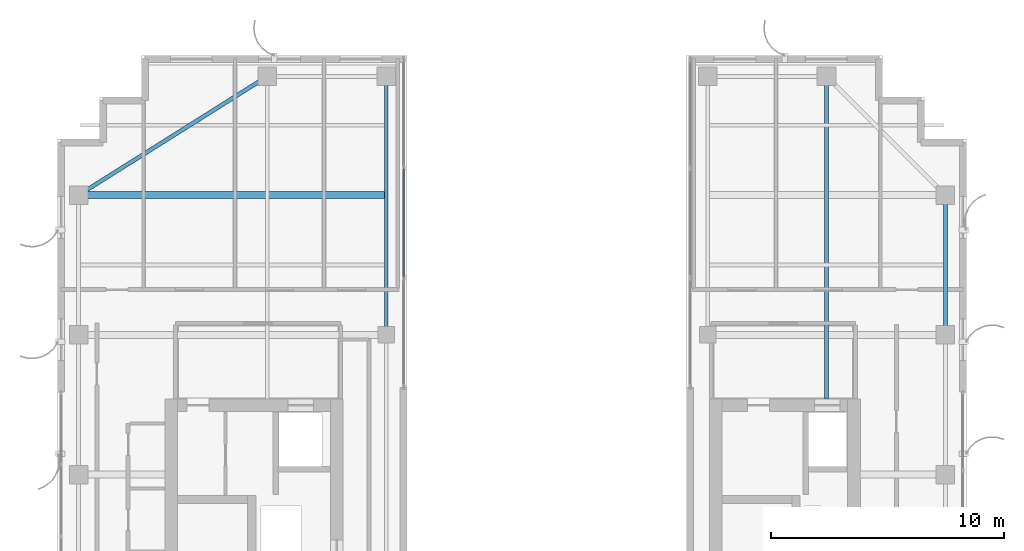
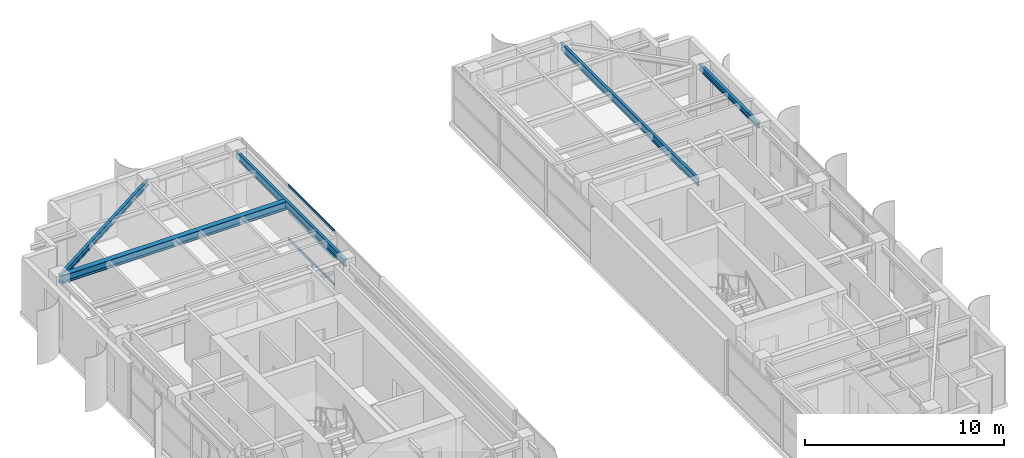
# One storey, part 14 of 24: 5 beams, 3 members, 1 element without a shape of its own.
"""IFC4 building model written with IfcOpenShell, lengths in metres."""

from ifc_helpers import new_model, si_unit, direction, frame, origin, origin_2d, place, context, subcontext, project, spatial, hollow_rectangle, i_section, extrude, source, transform, mapped, material, layer, layer_set, material_profile, profile_set, type_object, element, aggregate, save


model = new_model("IFC4")

# Units and contexts
model_context = context("Model", 3, precision=1e-05, world=origin(), true_north=direction((0.0, 1.0)))
body_context = subcontext(model_context, "Body", "Model", "MODEL_VIEW")
ifc_project = project(units=[si_unit("LENGTHUNIT", "METRE"), si_unit("AREAUNIT", "SQUARE_METRE"), si_unit("VOLUMEUNIT", "CUBIC_METRE"), si_unit("PLANEANGLEUNIT", "RADIAN"), si_unit("MASSUNIT", "GRAM", prefix="KILO")], contexts=[model_context])

# Site, building, storey
site_placement = place(None, origin())
site = spatial("IfcSite", under=ifc_project, at=site_placement, CompositionType="ELEMENT")
building_placement = place(site_placement, origin())
building = spatial("IfcBuilding", under=site, at=building_placement, Name="Khoralis Quay Care Tower", CompositionType="ELEMENT")
storey_placement = place(building_placement, frame((0.0, 0.0, 231.300048828125)))
storey = spatial("IfcBuildingStorey", under=building, at=storey_placement, Name="L60", CompositionType="ELEMENT", Elevation=231.300048828125)

# Beams
ifc_material_1 = material(Name="Steel S355", Category="steel")
ifc_material_profile_1 = material_profile(ifc_material_1, i_section(OverallWidth=0.169921875, OverallDepth=0.360107421875, WebThickness=0.008056640625, FlangeThickness=0.0126953125, FilletRadius=0.01806640625, at=origin_2d()), Name="Steel S355")
ifc_profile_set_1 = profile_set([ifc_material_profile_1], Name="Steel S355")
beam_type_1 = type_object("IfcBeamType", Name="BM-IPE360", PredefinedType="SPANDREL", material=ifc_profile_set_1)
shared_shape_1 = source(origin(), body_context, "Body", "SweptSolid", [
    extrude(i_section(OverallWidth=0.169921875, OverallDepth=0.360107421875, WebThickness=0.008056640625, FlangeThickness=0.0126953125, FilletRadius=0.01806640625, at=origin_2d()), origin(), (0.0, 0.0, 1.0), 6.0),
])
beam_1_placement = place(storey_placement, frame((41.10009765625, 30.0, 3.179931640625), z_axis=(0.0, 1.0, 0.0), x_axis=(-1.0, 0.0, 0.0)))
element("IfcBeam", 1, at=beam_1_placement, inside=storey, type_object=beam_type_1, Name="BM-TSP-L60-12", PredefinedType="SPANDREL", context=body_context, shape_type="MappedRepresentation", body=[
    mapped(shared_shape_1, transform((0.0, 0.0, 0.0), scale=1.0)),
])
shared_shape_2 = source(origin(), body_context, "Body", "SweptSolid", [
    extrude(i_section(OverallWidth=0.169921875, OverallDepth=0.360107421875, WebThickness=0.008056640625, FlangeThickness=0.0126953125, FilletRadius=0.01806640625, at=origin_2d()), origin(), (0.0, 0.0, 1.0), 9.572021484375),
])
beam_2_placement = place(storey_placement, frame((12.0, 41.10009765625, 3.179931640625), z_axis=(-0.846231136359, -0.532815975602, 0.0), x_axis=(0.532815975602, -0.846231136359, 0.0)))
element("IfcBeam", 2, at=beam_2_placement, inside=storey, type_object=beam_type_1, Name="BM-TCR-L60-15", PredefinedType="SPANDREL", context=body_context, shape_type="MappedRepresentation", body=[
    mapped(shared_shape_2, transform((0.0, 0.0, 0.0), scale=1.0)),
])
ifc_material_profile_2 = material_profile(ifc_material_1, i_section(OverallWidth=0.300048828125, OverallDepth=0.5, WebThickness=0.014404296875, FlangeThickness=0.028076171875, FilletRadius=0.027099609375, at=origin_2d()), Name="Steel S355")
ifc_profile_set_2 = profile_set([ifc_material_profile_2], Name="Steel S355")
beam_type_2 = type_object("IfcBeamType", Name="BM-HEB500", PredefinedType="BEAM", material=ifc_profile_set_2)
shared_shape_3 = source(origin(), body_context, "Body", "SweptSolid", [
    extrude(i_section(OverallWidth=0.300048828125, OverallDepth=0.5, WebThickness=0.014404296875, FlangeThickness=0.028076171875, FilletRadius=0.027099609375, at=origin_2d()), origin(), (0.0, 0.0, 1.0), 13.135009765625),
])
beam_3_placement = place(storey_placement, frame((3.89990234375, 36.0, 3.10986328125), z_axis=(1.0, 0.0, 0.0), x_axis=(0.0, 1.0, 0.0)))
element("IfcBeam", 3, at=beam_3_placement, inside=storey, type_object=beam_type_2, Name="BM-TGXW-L60-360", PredefinedType="BEAM", context=body_context, shape_type="MappedRepresentation", body=[
    mapped(shared_shape_3, transform((0.0, 0.0, 0.0), scale=1.0)),
])
ifc_material_profile_3 = material_profile(ifc_material_1, i_section(OverallWidth=0.154052734375, OverallDepth=0.458984375, WebThickness=0.009033203125, FlangeThickness=0.015380859375, FilletRadius=0.014892578125, at=origin_2d()), Name="Steel S355")
ifc_profile_set_3 = profile_set([ifc_material_profile_3], Name="Steel S355")
beam_type_3 = type_object("IfcBeamType", Name="BM-W460X68", PredefinedType="BEAM", material=ifc_profile_set_3)
shared_shape_4 = source(origin(), body_context, "Body", "SweptSolid", [
    extrude(i_section(OverallWidth=0.154052734375, OverallDepth=0.458984375, WebThickness=0.009033203125, FlangeThickness=0.015380859375, FilletRadius=0.014892578125, at=origin_2d()), origin(), (0.0, 0.0, 1.0), 11.10009765625),
])
beam_4_placement = place(storey_placement, frame((17.10009765625, 30.0, 3.13037109375), z_axis=(0.0, 1.0, 0.0), x_axis=(-1.0, 0.0, 0.0)))
element("IfcBeam", 4, at=beam_4_placement, inside=storey, type_object=beam_type_3, Name="BM-TGYN-L60-171", PredefinedType="BEAM", context=body_context, shape_type="MappedRepresentation", body=[
    mapped(shared_shape_4, transform((0.0, 0.0, 0.0), scale=1.0)),
])
shared_shape_5 = source(origin(), body_context, "Body", "SweptSolid", [
    extrude(i_section(OverallWidth=0.154052734375, OverallDepth=0.458984375, WebThickness=0.009033203125, FlangeThickness=0.015380859375, FilletRadius=0.014892578125, at=origin_2d()), origin(), (0.0, 0.0, 1.0), 13.85205078125),
])
beam_5_placement = place(storey_placement, frame((36.0, 27.248046875, 3.13037109375), z_axis=(0.0, 1.0, 0.0), x_axis=(-1.0, 0.0, 0.0)))
element("IfcBeam", 5, at=beam_5_placement, inside=storey, type_object=beam_type_3, Name="BM-TGYN-L60-360", PredefinedType="BEAM", context=body_context, shape_type="MappedRepresentation", body=[
    mapped(shared_shape_5, transform((0.0, 0.0, 0.0), scale=1.0)),
])

# Curtain wall, members
ifc_material_2 = material(Name="Pale anodised aluminium", Category="aluminium")
ifc_layer = layer(ifc_material_2, 0.18994140625)
ifc_layer_set = layer_set([ifc_layer], Name="Pale anodised aluminium")
curtain_wall_type = type_object("IfcCurtainWallType", Name="CW-SYS-PORTAL", PredefinedType="NOTDEFINED", material=ifc_layer_set)
curtain_wall_placement = place(storey_placement, origin())
curtain_wall = element("IfcCurtainWall", 6, at=curtain_wall_placement, inside=storey, type_object=curtain_wall_type, Name="L60 Unitised Curtain Wall CW-VP-L60-P1-N", PredefinedType="NOTDEFINED")
ifc_material_profile_4 = material_profile(ifc_material_2, hollow_rectangle(XDim=0.06005859375, YDim=0.139892578125, WallThickness=0.00390625, at=origin_2d()), Name="Pale anodised aluminium")
ifc_profile_set_4 = profile_set([ifc_material_profile_4], Name="Pale anodised aluminium")
member_type = type_object("IfcMemberType", Name="CW-TRN-140", PredefinedType="USERDEFINED", material=ifc_profile_set_4)
shared_shape_6 = source(origin(), body_context, "Body", "SweptSolid", [
    extrude(hollow_rectangle(XDim=0.06005859375, YDim=0.139892578125, WallThickness=0.00390625, at=origin_2d()), origin(), (0.0, 0.0, 1.0), 4.64013671875),
])
member_1_placement = place(storey_placement, frame((17.85009765625, 32.47998046875, 0.030029296875), z_axis=(0.0, 1.0, 0.0), x_axis=(-1.0, 0.0, 0.0)))
member_1 = element("IfcMember", 7, at=member_1_placement, type_object=member_type, Name="CW4 transom 2.1", ObjectType="TRANSOM", PredefinedType="USERDEFINED", context=body_context, shape_type="MappedRepresentation", body=[
    mapped(shared_shape_6, transform((0.0, 0.0, 0.0), scale=1.0)),
])
member_2_placement = place(storey_placement, frame((17.85009765625, 32.47998046875, 1.679931640625), z_axis=(0.0, 1.0, 0.0), x_axis=(-1.0, 0.0, 0.0)))
member_2 = element("IfcMember", 8, at=member_2_placement, type_object=member_type, Name="CW4 transom 2.2", ObjectType="TRANSOM", PredefinedType="USERDEFINED", context=body_context, shape_type="MappedRepresentation", body=[
    mapped(shared_shape_6, transform((0.0, 0.0, 0.0), scale=1.0)),
])
member_3_placement = place(storey_placement, frame((17.85009765625, 32.47998046875, 3.329833984375), z_axis=(0.0, 1.0, 0.0), x_axis=(-1.0, 0.0, 0.0)))
member_3 = element("IfcMember", 9, at=member_3_placement, type_object=member_type, Name="CW4 transom 2.3", ObjectType="TRANSOM", PredefinedType="USERDEFINED", context=body_context, shape_type="MappedRepresentation", body=[
    mapped(shared_shape_6, transform((0.0, 0.0, 0.0), scale=1.0)),
])
aggregate(curtain_wall, [member_1, member_2, member_3])

save(model, "model.ifc")
